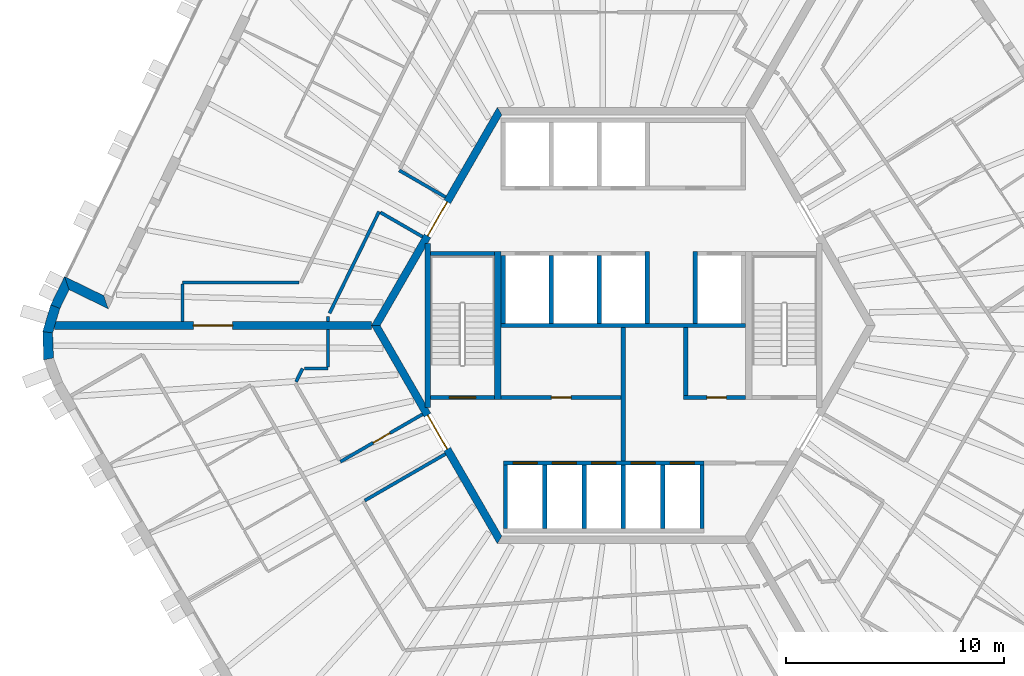
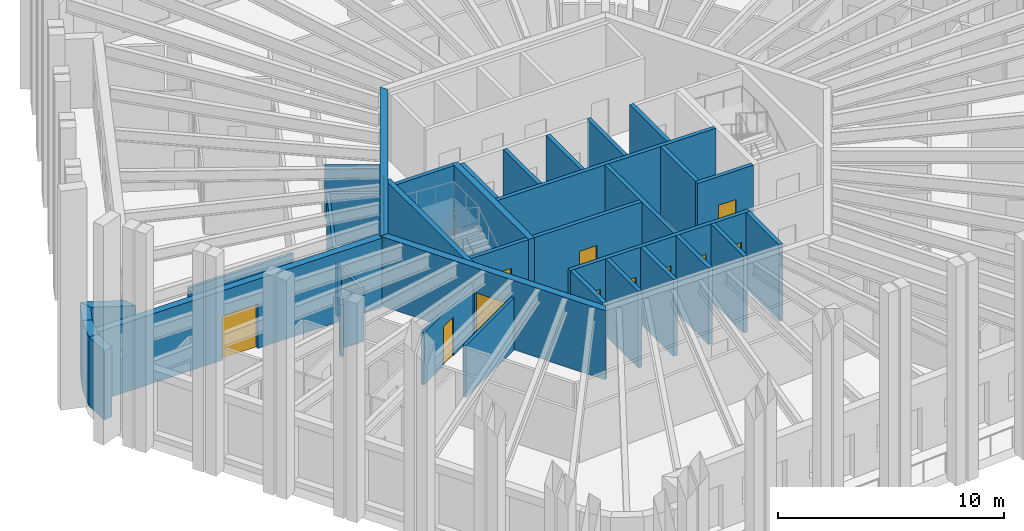
# One storey, part 4 of 12: 39 walls, 12 doors, 12 openings.
"""IFC4 building model written with IfcOpenShell, lengths in metres."""

from ifc_helpers import new_model, si_unit, direction, frame, frame_2d, origin, place, context, subcontext, project, spatial, polyline, rectangle, outline, extrude, material, layer, layer_set, type_object, element, fill, save


model = new_model("IFC4")

# Units and contexts
model_context = context("Model", 3, precision=1e-05, world=origin(), true_north=direction((0.0, 1.0)))
body_context = subcontext(model_context, "Body", "Model", "MODEL_VIEW")
ifc_project = project(units=[si_unit("LENGTHUNIT", "METRE"), si_unit("AREAUNIT", "SQUARE_METRE"), si_unit("VOLUMEUNIT", "CUBIC_METRE"), si_unit("PLANEANGLEUNIT", "RADIAN"), si_unit("MASSUNIT", "GRAM", prefix="KILO")], contexts=[model_context])

# Site, building, storey
site_placement = place(None, origin())
site = spatial("IfcSite", under=ifc_project, at=site_placement, CompositionType="ELEMENT")
building_placement = place(site_placement, origin())
building = spatial("IfcBuilding", under=site, at=building_placement, Name="Tarnside Tower", CompositionType="ELEMENT")
storey_placement = place(building_placement, frame((0.0, 0.0, 349.5)))
storey = spatial("IfcBuildingStorey", under=building, at=storey_placement, Name="L84", CompositionType="ELEMENT", Elevation=349.5)

# Wall, opening, door
ifc_material_1 = material(Name="Concrete C40/50", Category="concrete")
ifc_layer_1 = layer(ifc_material_1, 0.199951171875)
ifc_layer_set_1 = layer_set([ifc_layer_1], Name="Core room partition 200 C40/50")
wall_type_1 = type_object("IfcWallType", Name="Core room partition 200 C40/50", PredefinedType="PARTITIONING", material=ifc_layer_set_1)
wall_1_placement = place(storey_placement, frame((-5.60009765625, -3.300048828125, 0.0), z_axis=(0.0, 0.0, 1.0), x_axis=(1.0, 0.0, 0.0)))
wall_1 = element("IfcWall", 1, at=wall_1_placement, inside=storey, type_object=wall_type_1, Name="L84 core partition W3", PredefinedType="PARTITIONING", context=body_context, shape_type="SweptSolid", body=[
    extrude(rectangle(XDim=5.5, YDim=0.199951171875, at=frame_2d((2.75, 0.0))), origin(), (0.0, 0.0, 1.0), 3.64990234375),
])
opening_1_placement = place(wall_1_placement, frame((2.300048828125, 0.0, 0.0)))
opening_1 = element("IfcOpeningElement", 2, at=opening_1_placement, cuts=wall_1, Name="Opening CD-room", PredefinedType="OPENING", context=body_context, shape_type="SweptSolid", body=[
    extrude(rectangle(XDim=0.89990234375, YDim=2.10009765625, at=frame_2d((0.449951171875, 1.050048828125))), frame((0.0, 0.10986328125, 0.0), z_axis=(0.0, -1.0, 0.0), x_axis=(1.0, 0.0, 0.0)), (0.0, 0.0, 1.0), 0.219970703125),
])
ifc_material_2 = material(Name="Steel fire door", Category="steel")
door_type_1 = type_object("IfcDoorType", Name="Room door FD60 900x2100", OperationType="NOTDEFINED", PredefinedType="DOOR", material=ifc_material_2)
door_1_placement = place(opening_1_placement, origin())
door_1 = element("IfcDoor", 3, at=door_1_placement, inside=storey, type_object=door_type_1, Name="L84 core room door W3D", OperationType="SINGLE_SWING_LEFT", OverallHeight=2.10009765625, OverallWidth=0.89990234375, PredefinedType="DOOR", context=body_context, shape_type="SweptSolid", body=[
    extrude(rectangle(XDim=0.89990234375, YDim=2.10009765625, at=frame_2d((0.449951171875, 1.050048828125))), frame((0.0, 0.02490234375, 0.0), z_axis=(0.0, -1.0, 0.0), x_axis=(1.0, 0.0, 0.0)), (0.0, 0.0, 1.0), 0.050048828125),
])
fill(opening_1, door_1)

wall_2_placement = place(storey_placement, frame((2.75, -3.300048828125, 0.0), z_axis=(0.0, 0.0, 1.0), x_axis=(1.0, 0.0, 0.0)))
wall_2 = element("IfcWall", 4, at=wall_2_placement, inside=storey, type_object=wall_type_1, Name="L84 core partition R3S1", PredefinedType="PARTITIONING", context=body_context, shape_type="SweptSolid", body=[
    extrude(rectangle(XDim=2.85009765625, YDim=0.199951171875, at=frame_2d((1.425048828125, 0.0))), origin(), (0.0, 0.0, 1.0), 3.64990234375),
])
opening_2_placement = place(wall_2_placement, frame((1.074951171875, 0.0, 0.0)))
opening_2 = element("IfcOpeningElement", 5, at=opening_2_placement, cuts=wall_2, Name="Opening CD-room", PredefinedType="OPENING", context=body_context, shape_type="SweptSolid", body=[
    extrude(rectangle(XDim=0.89990234375, YDim=2.10009765625, at=frame_2d((0.449951171875, 1.050048828125))), frame((0.0, 0.10986328125, 0.0), z_axis=(0.0, -1.0, 0.0), x_axis=(1.0, 0.0, 0.0)), (0.0, 0.0, 1.0), 0.219970703125),
])
door_2_placement = place(opening_2_placement, origin())
door_2 = element("IfcDoor", 6, at=door_2_placement, inside=storey, type_object=door_type_1, Name="L84 core room door SR1", OperationType="SINGLE_SWING_LEFT", OverallHeight=2.10009765625, OverallWidth=0.89990234375, PredefinedType="DOOR", context=body_context, shape_type="SweptSolid", body=[
    extrude(rectangle(XDim=0.89990234375, YDim=2.10009765625, at=frame_2d((0.449951171875, 1.050048828125))), frame((0.0, 0.02490234375, 0.0), z_axis=(0.0, -1.0, 0.0), x_axis=(1.0, 0.0, 0.0)), (0.0, 0.0, 1.0), 0.050048828125),
])
fill(opening_2, door_2)

# Walls
wall_3_placement = place(storey_placement, frame((2.85009765625, -3.199951171875, 0.0), z_axis=(0.0, 0.0, 1.0), x_axis=(0.0, 1.0, 0.0)))
element("IfcWall", 7, at=wall_3_placement, inside=storey, type_object=wall_type_1, Name="L84 core partition R3P1a", PredefinedType="PARTITIONING", context=body_context, shape_type="SweptSolid", body=[
    extrude(rectangle(XDim=3.099853515625, YDim=0.199951171875, at=frame_2d((1.5498046875, 0.0))), origin(), (0.0, 0.0, 1.0), 3.64990234375),
])
wall_4_placement = place(storey_placement, frame((0.0, -6.199951171875, 0.0), z_axis=(0.0, 0.0, 1.0), x_axis=(0.0, 1.0, 0.0)))
element("IfcWall", 8, at=wall_4_placement, inside=storey, type_object=wall_type_1, Name="L84 core partition X0", PredefinedType="PARTITIONING", context=body_context, shape_type="SweptSolid", body=[
    extrude(rectangle(XDim=6.099853515625, YDim=0.199951171875, at=frame_2d((3.0498046875, 0.0))), origin(), (0.0, 0.0, 1.0), 3.64990234375),
])

# Wall, opening, door
ifc_material_3 = material(Name="Concrete C50/60", Category="concrete")
ifc_layer_2 = layer(ifc_material_3, 0.35009765625)
ifc_layer_set_2 = layer_set([ifc_layer_2], Name="Core wall Z4 350 C50/60")
wall_type_2 = type_object("IfcWallType", Name="Core wall Z4 350 C50/60", PredefinedType="SHEAR", material=ifc_layer_set_2)
wall_5_placement = place(storey_placement, frame((-5.672607421875, 9.824951171875, 0.0), z_axis=(0.0, 0.0, 1.0), x_axis=(-0.499995046907, -0.866028263435, 0.0)))
wall_5 = element("IfcWall", 9, at=wall_5_placement, inside=storey, type_object=wall_type_2, Name="L84 core wall face 2", PredefinedType="SHEAR", context=body_context, shape_type="SweptSolid", body=[
    extrude(outline(polyline([(-0.10107421875, -0.175048828125), (11.44580078125, -0.175048828125), (11.24365234375, 0.175048828125), (0.10107421875, 0.175048828125), (-0.10107421875, -0.175048828125)])), origin(), (0.0, 0.0, 1.0), 3.75),
])
opening_3_placement = place(wall_5_placement, frame((4.80126953125, 0.0, 0.0)))
opening_3 = element("IfcOpeningElement", 10, at=opening_3_placement, cuts=wall_5, Name="Opening CD-LOB", PredefinedType="OPENING", context=body_context, shape_type="SweptSolid", body=[
    extrude(rectangle(XDim=1.800048828125, YDim=2.39990234375, at=frame_2d((0.89990234375, 1.199951171875))), frame((0.0, 0.18505859375, 0.0), z_axis=(0.0, -1.0, 0.0), x_axis=(1.0, 0.0, 0.0)), (0.0, 0.0, 1.0), 0.3701171875),
])
door_type_2 = type_object("IfcDoorType", Name="Lobby double door FD30S 1800x2400", OperationType="NOTDEFINED", PredefinedType="DOOR", material=ifc_material_2)
door_3_placement = place(opening_3_placement, origin())
door_3 = element("IfcDoor", 11, at=door_3_placement, inside=storey, type_object=door_type_2, Name="L84 core door P1", OperationType="DOUBLE_DOOR_SINGLE_SWING", OverallHeight=2.39990234375, OverallWidth=1.800048828125, PredefinedType="DOOR", context=body_context, shape_type="SweptSolid", body=[
    extrude(rectangle(XDim=1.800048828125, YDim=2.39990234375, at=frame_2d((0.89990234375, 1.199951171875))), frame((0.0, 0.02490234375, 0.0), z_axis=(0.0, -1.0, 0.0), x_axis=(1.0, 0.0, 0.0)), (0.0, 0.0, 1.0), 0.050048828125),
])
fill(opening_3, door_3)

wall_6_placement = place(storey_placement, frame((-11.344970703125, 0.0, 0.0), z_axis=(0.0, 0.0, 1.0), x_axis=(0.499995046907, -0.866028263435, 0.0)))
wall_6 = element("IfcWall", 12, at=wall_6_placement, inside=storey, type_object=wall_type_2, Name="L84 core wall face 3", PredefinedType="SHEAR", context=body_context, shape_type="SweptSolid", body=[
    extrude(outline(polyline([(-0.10107421875, -0.175048828125), (11.44580078125, -0.175048828125), (11.24365234375, 0.175048828125), (0.10107421875, 0.175048828125), (-0.10107421875, -0.175048828125)])), origin(), (0.0, 0.0, 1.0), 3.75),
])
opening_4_placement = place(wall_6_placement, frame((4.74365234375, 0.0, 0.0)))
opening_4 = element("IfcOpeningElement", 13, at=opening_4_placement, cuts=wall_6, Name="Opening CD-FFL", PredefinedType="OPENING", context=body_context, shape_type="SweptSolid", body=[
    extrude(rectangle(XDim=1.800048828125, YDim=2.39990234375, at=frame_2d((0.89990234375, 1.199951171875))), frame((0.0, 0.18505859375, 0.0), z_axis=(0.0, -1.0, 0.0), x_axis=(1.0, 0.0, 0.0)), (0.0, 0.0, 1.0), 0.3701171875),
])
door_type_3 = type_object("IfcDoorType", Name="Firefighting lobby double door FD60S 1800x2400", OperationType="NOTDEFINED", PredefinedType="DOOR", material=ifc_material_2)
door_4_placement = place(opening_4_placement, origin())
door_4 = element("IfcDoor", 14, at=door_4_placement, inside=storey, type_object=door_type_3, Name="L84 core door P3", OperationType="DOUBLE_DOOR_SINGLE_SWING", OverallHeight=2.39990234375, OverallWidth=1.800048828125, PredefinedType="DOOR", context=body_context, shape_type="SweptSolid", body=[
    extrude(rectangle(XDim=1.800048828125, YDim=2.39990234375, at=frame_2d((0.89990234375, 1.199951171875))), frame((0.0, 0.02490234375, 0.0), z_axis=(0.0, -1.0, 0.0), x_axis=(1.0, 0.0, 0.0)), (0.0, 0.0, 1.0), 0.050048828125),
])
fill(opening_4, door_4)

wall_7_placement = place(storey_placement, frame((-11.547119140625, 0.0, 0.0), z_axis=(0.0, 0.0, 1.0), x_axis=(-1.0, 0.0, 0.0)))
wall_7 = element("IfcWall", 15, at=wall_7_placement, inside=storey, type_object=wall_type_2, Name="L84 spine wall 2", PredefinedType="SHEAR", context=body_context, shape_type="SweptSolid", body=[
    extrude(rectangle(XDim=14.510498046875, YDim=0.35009765625, at=frame_2d((7.25537109375, 0.0))), origin(), (0.0, 0.0, 1.0), 3.75),
])
opening_5_placement = place(wall_7_placement, frame((6.355224609375, 0.0, 0.0)))
opening_5 = element("IfcOpeningElement", 16, at=opening_5_placement, cuts=wall_7, Name="Opening CD-SPN", PredefinedType="OPENING", context=body_context, shape_type="SweptSolid", body=[
    extrude(rectangle(XDim=1.800048828125, YDim=2.39990234375, at=frame_2d((0.89990234375, 1.199951171875))), frame((0.0, 0.18505859375, 0.0), z_axis=(0.0, -1.0, 0.0), x_axis=(1.0, 0.0, 0.0)), (0.0, 0.0, 1.0), 0.3701171875),
])
door_type_4 = type_object("IfcDoorType", Name="Spine passage double door FD60 1800x2400", OperationType="NOTDEFINED", PredefinedType="DOOR", material=ifc_material_2)
door_5_placement = place(opening_5_placement, origin())
door_5 = element("IfcDoor", 17, at=door_5_placement, inside=storey, type_object=door_type_4, Name="L84 spine passage door 2", OperationType="DOUBLE_DOOR_SINGLE_SWING", OverallHeight=2.39990234375, OverallWidth=1.800048828125, PredefinedType="DOOR", context=body_context, shape_type="SweptSolid", body=[
    extrude(rectangle(XDim=1.800048828125, YDim=2.39990234375, at=frame_2d((0.89990234375, 1.199951171875))), frame((0.0, 0.02490234375, 0.0), z_axis=(0.0, -1.0, 0.0), x_axis=(1.0, 0.0, 0.0)), (0.0, 0.0, 1.0), 0.050048828125),
])
fill(opening_5, door_5)

# Walls
ifc_material_4 = material(Name="Gypsum board partition on steel studs", Category="steel")
ifc_layer_3 = layer(ifc_material_4, 0.14990234375)
ifc_layer_set_3 = layer_set([ifc_layer_3], Name="Corridor wall 150 EI 60")
wall_type_3 = type_object("IfcWallType", Name="Corridor wall 150 EI 60", PredefinedType="PARTITIONING", material=ifc_layer_set_3)
wall_8_placement = place(storey_placement, frame((-14.863525390625, 1.97509765625, 0.0), z_axis=(0.0, 0.0, 1.0), x_axis=(-1.0, 0.0, 0.0)))
element("IfcWall", 18, at=wall_8_placement, inside=storey, type_object=wall_type_3, Name="Corridor wall 27010", PredefinedType="PARTITIONING", context=body_context, shape_type="SweptSolid", body=[
    extrude(rectangle(XDim=5.3388671875, YDim=0.14990234375, at=frame_2d((2.66943359375, 0.0))), origin(), (0.0, 0.0, 1.0), 2.820068359375),
])
wall_9_placement = place(storey_placement, frame((-20.202392578125, 1.89990234375, 0.0), z_axis=(0.0, 0.0, 1.0), x_axis=(0.0, -1.0, 0.0)))
element("IfcWall", 19, at=wall_9_placement, inside=storey, type_object=wall_type_3, Name="Corridor wall 27011", PredefinedType="PARTITIONING", context=body_context, shape_type="SweptSolid", body=[
    extrude(rectangle(XDim=1.724853515625, YDim=0.14990234375, at=frame_2d((0.8623046875, 0.0))), origin(), (0.0, 0.0, 1.0), 2.820068359375),
])
wall_10_placement = place(storey_placement, frame((-13.54052734375, 0.175048828125, 0.0), z_axis=(0.0, 0.0, 1.0), x_axis=(0.0, 1.0, 0.0)))
element("IfcWall", 20, at=wall_10_placement, inside=storey, type_object=wall_type_3, Name="Corridor wall 27015", PredefinedType="PARTITIONING", context=body_context, shape_type="SweptSolid", body=[
    extrude(rectangle(XDim=0.235107421875, YDim=0.14990234375, at=frame_2d((0.11767578125, 0.0))), origin(), (0.0, 0.0, 1.0), 2.820068359375),
])
wall_11_placement = place(storey_placement, frame((-13.465576171875, 0.563720703125, 0.0), z_axis=(0.0, 0.0, 1.0), x_axis=(0.438366040624, 0.898796536724, 0.0)))
element("IfcWall", 21, at=wall_11_placement, inside=storey, type_object=wall_type_3, Name="Corridor wall 27016", PredefinedType="PARTITIONING", context=body_context, shape_type="SweptSolid", body=[
    extrude(rectangle(XDim=5.178466796875, YDim=0.14990234375, at=frame_2d((2.58935546875, 0.0))), origin(), (0.0, 0.0, 1.0), 2.820068359375),
])
wall_12_placement = place(storey_placement, frame((-11.130615234375, 5.180419921875, 0.0), z_axis=(0.0, 0.0, 1.0), x_axis=(0.866037886895, -0.499978377995, 0.0)))
element("IfcWall", 22, at=wall_12_placement, inside=storey, type_object=wall_type_3, Name="Corridor wall 27017", PredefinedType="PARTITIONING", context=body_context, shape_type="SweptSolid", body=[
    extrude(rectangle(XDim=2.2294921875, YDim=0.14990234375, at=frame_2d((1.11474609375, 0.0))), origin(), (0.0, 0.0, 1.0), 2.820068359375),
])
wall_13_placement = place(storey_placement, frame((-8.149658203125, 5.88427734375, 0.0), z_axis=(0.0, 0.0, 1.0), x_axis=(-0.866009790468, 0.500027042082, 0.0)))
element("IfcWall", 23, at=wall_13_placement, inside=storey, type_object=wall_type_3, Name="Corridor wall 27018", PredefinedType="PARTITIONING", context=body_context, shape_type="SweptSolid", body=[
    extrude(rectangle(XDim=2.451416015625, YDim=0.14990234375, at=frame_2d((1.2255859375, 0.0))), origin(), (0.0, 0.0, 1.0), 2.820068359375),
])

# Wall, opening, door
wall_14_placement = place(storey_placement, frame((-9.19970703125, -4.065673828125, 0.0), z_axis=(0.0, 0.0, 1.0), x_axis=(-0.866013608182, -0.500020430026, 0.0)))
wall_14 = element("IfcWall", 24, at=wall_14_placement, inside=storey, type_object=wall_type_3, Name="Corridor wall 27034", PredefinedType="PARTITIONING", context=body_context, shape_type="SweptSolid", body=[
    extrude(rectangle(XDim=4.349853515625, YDim=0.14990234375, at=frame_2d((2.1748046875, 0.0))), origin(), (0.0, 0.0, 1.0), 2.820068359375),
])
opening_6_placement = place(wall_14_placement, frame((1.72509765625, 0.0, 0.0)))
opening_6 = element("IfcOpeningElement", 25, at=opening_6_placement, cuts=wall_14, Name="Opening D-S1", PredefinedType="OPENING", context=body_context, shape_type="SweptSolid", body=[
    extrude(rectangle(XDim=0.89990234375, YDim=2.10009765625, at=frame_2d((0.449951171875, 1.050048828125))), frame((0.0, 0.0849609375, 0.0), z_axis=(0.0, -1.0, 0.0), x_axis=(1.0, 0.0, 0.0)), (0.0, 0.0, 1.0), 0.169921875),
])
ifc_material_5 = material(Name="Timber door leaf", Category="wood")
door_type_5 = type_object("IfcDoorType", Name="Service room door 900 FD30S", OperationType="NOTDEFINED", PredefinedType="DOOR", material=ifc_material_5)
door_6_placement = place(opening_6_placement, origin())
door_6 = element("IfcDoor", 26, at=door_6_placement, inside=storey, type_object=door_type_5, Name="Service door 27061", OperationType="SINGLE_SWING_LEFT", OverallHeight=2.10009765625, OverallWidth=0.89990234375, PredefinedType="DOOR", context=body_context, shape_type="SweptSolid", body=[
    extrude(rectangle(XDim=0.89990234375, YDim=2.10009765625, at=frame_2d((0.449951171875, 1.050048828125))), frame((0.0, 0.02490234375, 0.0), z_axis=(0.0, -1.0, 0.0), x_axis=(1.0, 0.0, 0.0)), (0.0, 0.0, 1.0), 0.050048828125),
])
fill(opening_6, door_6)

# Walls
wall_15_placement = place(storey_placement, frame((-14.99658203125, -2.5751953125, 0.0), z_axis=(0.0, 0.0, 1.0), x_axis=(0.438416427913, 0.898771959808, 0.0)))
element("IfcWall", 27, at=wall_15_placement, inside=storey, type_object=wall_type_3, Name="Corridor wall 27036", PredefinedType="PARTITIONING", context=body_context, shape_type="SweptSolid", body=[
    extrude(rectangle(XDim=0.667724609375, YDim=0.14990234375, at=frame_2d((0.333984375, 0.0))), origin(), (0.0, 0.0, 1.0), 2.820068359375),
])
wall_16_placement = place(storey_placement, frame((-14.620361328125, -1.97509765625, 0.0), z_axis=(0.0, 0.0, 1.0), x_axis=(1.0, 0.0, 0.0)))
element("IfcWall", 28, at=wall_16_placement, inside=storey, type_object=wall_type_3, Name="Corridor wall 27037", PredefinedType="PARTITIONING", context=body_context, shape_type="SweptSolid", body=[
    extrude(rectangle(XDim=1.079833984375, YDim=0.14990234375, at=frame_2d((0.5400390625, 0.0))), origin(), (0.0, 0.0, 1.0), 2.820068359375),
])
wall_17_placement = place(storey_placement, frame((-13.54052734375, -1.89990234375, 0.0), z_axis=(0.0, 0.0, 1.0), x_axis=(0.0, 1.0, 0.0)))
element("IfcWall", 29, at=wall_17_placement, inside=storey, type_object=wall_type_3, Name="Corridor wall 27038", PredefinedType="PARTITIONING", context=body_context, shape_type="SweptSolid", body=[
    extrude(rectangle(XDim=1.724853515625, YDim=0.14990234375, at=frame_2d((0.8623046875, 0.0))), origin(), (0.0, 0.0, 1.0), 2.820068359375),
])
wall_18_placement = place(storey_placement, frame((-11.85205078125, -8.021728515625, 0.0), z_axis=(0.0, 0.0, 1.0), x_axis=(0.866038183914, 0.499977863513, 0.0)))
element("IfcWall", 30, at=wall_18_placement, inside=storey, type_object=wall_type_3, Name="Corridor wall 27042", PredefinedType="PARTITIONING", context=body_context, shape_type="SweptSolid", body=[
    extrude(rectangle(XDim=4.275146484375, YDim=0.14990234375, at=frame_2d((2.1376953125, 0.0))), origin(), (0.0, 0.0, 1.0), 2.820068359375),
])
ifc_layer_4 = layer(ifc_material_1, 0.199951171875)
ifc_layer_set_4 = layer_set([ifc_layer_4], Name="Lift shaft wall 200 C40/50")
wall_type_4 = type_object("IfcWallType", Name="Lift shaft wall 200 C40/50", PredefinedType="SHEAR", material=ifc_layer_set_4)
wall_19_placement = place(storey_placement, frame((-5.60009765625, 0.0, -0.5), z_axis=(0.0, 0.0, 1.0), x_axis=(1.0, 0.0, 0.0)))
element("IfcWall", 31, at=wall_19_placement, inside=storey, type_object=wall_type_4, Name="L84 lift shaft back wall R2", PredefinedType="SHEAR", context=body_context, shape_type="SweptSolid", body=[
    extrude(rectangle(XDim=11.2001953125, YDim=0.199951171875, at=frame_2d((5.60009765625, 0.0))), origin(), (0.0, 0.0, 1.0), 4.14990234375),
])
for number, where, z_axis, x_axis, name in (
    (32, (-5.5, 0.10009765625, -0.5), (0.0, 0.0, 1.0), (0.0, 1.0, 0.0), "L84 lift shaft partition R21"),
    (33, (-3.300048828125, 0.10009765625, -0.5), (0.0, 0.0, 1.0), (0.0, 1.0, 0.0), "L84 lift shaft partition R22"),
    (34, (-1.10009765625, 0.10009765625, -0.5), (0.0, 0.0, 1.0), (0.0, 1.0, 0.0), "L84 lift shaft partition R23"),
):
    element("IfcWall", number, at=place(storey_placement, frame(where, z_axis=z_axis, x_axis=x_axis)), inside=storey, type_object=wall_type_4, Name=name, PredefinedType="SHEAR", context=body_context, shape_type="SweptSolid", body=[
        extrude(rectangle(XDim=3.099853515625, YDim=0.199951171875, at=frame_2d((1.5498046875, 0.0))), origin(), (0.0, 0.0, 1.0), 4.14990234375),
    ])
for number, where, z_axis, x_axis, name in (
    (35, (1.10009765625, 0.10009765625, -0.5), (0.0, 0.0, 1.0), (0.0, 1.0, 0.0), "L84 lift shaft partition R24"),
    (36, (3.300048828125, 0.10009765625, -0.5), (0.0, 0.0, 1.0), (0.0, 1.0, 0.0), "L84 lift shaft partition R25"),
):
    element("IfcWall", number, at=place(storey_placement, frame(where, z_axis=z_axis, x_axis=x_axis)), inside=storey, type_object=wall_type_4, Name=name, PredefinedType="SHEAR", context=body_context, shape_type="SweptSolid", body=[
        extrude(rectangle(XDim=3.2998046875, YDim=0.199951171875, at=frame_2d((1.64990234375, 0.0))), origin(), (0.0, 0.0, 1.0), 4.14990234375),
    ])

# Wall, openings, doors
wall_20_placement = place(storey_placement, frame((-5.5, -6.300048828125, -0.5), z_axis=(0.0, 0.0, 1.0), x_axis=(1.0, 0.0, 0.0)))
wall_20 = element("IfcWall", 37, at=wall_20_placement, inside=storey, type_object=wall_type_4, Name="L84 lift shaft front wall R4", PredefinedType="SHEAR", context=body_context, shape_type="SweptSolid", body=[
    extrude(rectangle(XDim=9.199951171875, YDim=0.199951171875, at=frame_2d((4.60009765625, 0.0))), origin(), (0.0, 0.0, 1.0), 4.14990234375),
])
opening_7_placement = place(wall_20_placement, frame((0.449951171875, 0.0, 0.5)))
opening_7 = element("IfcOpeningElement", 38, at=opening_7_placement, cuts=wall_20, Name="Opening LDF", PredefinedType="OPENING", context=body_context, shape_type="SweptSolid", body=[
    extrude(rectangle(XDim=1.10009765625, YDim=2.10009765625, at=frame_2d((0.550048828125, 1.050048828125))), frame((0.0, 0.10986328125, 0.0), z_axis=(0.0, -1.0, 0.0), x_axis=(1.0, 0.0, 0.0)), (0.0, 0.0, 1.0), 0.219970703125),
])
opening_8_placement = place(wall_20_placement, frame((2.25, 0.0, 0.5)))
opening_8 = element("IfcOpeningElement", 39, at=opening_8_placement, cuts=wall_20, Name="Opening LDF", PredefinedType="OPENING", context=body_context, shape_type="SweptSolid", body=[
    extrude(rectangle(XDim=1.10009765625, YDim=2.10009765625, at=frame_2d((0.550048828125, 1.050048828125))), frame((0.0, 0.10986328125, 0.0), z_axis=(0.0, -1.0, 0.0), x_axis=(1.0, 0.0, 0.0)), (0.0, 0.0, 1.0), 0.219970703125),
])
opening_9_placement = place(wall_20_placement, frame((4.050048828125, 0.0, 0.5)))
opening_9 = element("IfcOpeningElement", 40, at=opening_9_placement, cuts=wall_20, Name="Opening LDF", PredefinedType="OPENING", context=body_context, shape_type="SweptSolid", body=[
    extrude(rectangle(XDim=1.10009765625, YDim=2.10009765625, at=frame_2d((0.550048828125, 1.050048828125))), frame((0.0, 0.10986328125, 0.0), z_axis=(0.0, -1.0, 0.0), x_axis=(1.0, 0.0, 0.0)), (0.0, 0.0, 1.0), 0.219970703125),
])
opening_10_placement = place(wall_20_placement, frame((5.85009765625, 0.0, 0.5)))
opening_10 = element("IfcOpeningElement", 41, at=opening_10_placement, cuts=wall_20, Name="Opening LDF", PredefinedType="OPENING", context=body_context, shape_type="SweptSolid", body=[
    extrude(rectangle(XDim=1.10009765625, YDim=2.10009765625, at=frame_2d((0.550048828125, 1.050048828125))), frame((0.0, 0.10986328125, 0.0), z_axis=(0.0, -1.0, 0.0), x_axis=(1.0, 0.0, 0.0)), (0.0, 0.0, 1.0), 0.219970703125),
])
opening_11_placement = place(wall_20_placement, frame((7.64990234375, 0.0, 0.5)))
opening_11 = element("IfcOpeningElement", 42, at=opening_11_placement, cuts=wall_20, Name="Opening LDF", PredefinedType="OPENING", context=body_context, shape_type="SweptSolid", body=[
    extrude(rectangle(XDim=1.10009765625, YDim=2.10009765625, at=frame_2d((0.550048828125, 1.050048828125))), frame((0.0, 0.10986328125, 0.0), z_axis=(0.0, -1.0, 0.0), x_axis=(1.0, 0.0, 0.0)), (0.0, 0.0, 1.0), 0.219970703125),
])
ifc_material_6 = material(Name="Stainless steel", Category="steel")
door_type_6 = type_object("IfcDoorType", Name="Lift landing door 1100x2100 EI 120", OperationType="NOTDEFINED", PredefinedType="DOOR", material=ifc_material_6)
door_7_placement = place(opening_7_placement, origin())
door_7 = element("IfcDoor", 43, at=door_7_placement, inside=storey, type_object=door_type_6, Name="Firefighting lift 1 landing door L84", OperationType="SLIDING_TO_LEFT", OverallHeight=2.10009765625, OverallWidth=1.10009765625, PredefinedType="DOOR", context=body_context, shape_type="SweptSolid", body=[
    extrude(rectangle(XDim=1.10009765625, YDim=2.10009765625, at=frame_2d((0.550048828125, 1.050048828125))), frame((0.0, 0.02490234375, 0.0), z_axis=(0.0, -1.0, 0.0), x_axis=(1.0, 0.0, 0.0)), (0.0, 0.0, 1.0), 0.050048828125),
])
fill(opening_7, door_7)
door_8_placement = place(opening_8_placement, origin())
door_8 = element("IfcDoor", 44, at=door_8_placement, inside=storey, type_object=door_type_6, Name="Firefighting lift 2 landing door L84", OperationType="SLIDING_TO_LEFT", OverallHeight=2.10009765625, OverallWidth=1.10009765625, PredefinedType="DOOR", context=body_context, shape_type="SweptSolid", body=[
    extrude(rectangle(XDim=1.10009765625, YDim=2.10009765625, at=frame_2d((0.550048828125, 1.050048828125))), frame((0.0, 0.02490234375, 0.0), z_axis=(0.0, -1.0, 0.0), x_axis=(1.0, 0.0, 0.0)), (0.0, 0.0, 1.0), 0.050048828125),
])
fill(opening_8, door_8)
door_9_placement = place(opening_9_placement, origin())
door_9 = element("IfcDoor", 45, at=door_9_placement, inside=storey, type_object=door_type_6, Name="Firefighting lift 3 landing door L84", OperationType="SLIDING_TO_LEFT", OverallHeight=2.10009765625, OverallWidth=1.10009765625, PredefinedType="DOOR", context=body_context, shape_type="SweptSolid", body=[
    extrude(rectangle(XDim=1.10009765625, YDim=2.10009765625, at=frame_2d((0.550048828125, 1.050048828125))), frame((0.0, 0.02490234375, 0.0), z_axis=(0.0, -1.0, 0.0), x_axis=(1.0, 0.0, 0.0)), (0.0, 0.0, 1.0), 0.050048828125),
])
fill(opening_9, door_9)
door_10_placement = place(opening_10_placement, origin())
door_10 = element("IfcDoor", 46, at=door_10_placement, inside=storey, type_object=door_type_6, Name="Firefighting lift 4 landing door L84", OperationType="SLIDING_TO_LEFT", OverallHeight=2.10009765625, OverallWidth=1.10009765625, PredefinedType="DOOR", context=body_context, shape_type="SweptSolid", body=[
    extrude(rectangle(XDim=1.10009765625, YDim=2.10009765625, at=frame_2d((0.550048828125, 1.050048828125))), frame((0.0, 0.02490234375, 0.0), z_axis=(0.0, -1.0, 0.0), x_axis=(1.0, 0.0, 0.0)), (0.0, 0.0, 1.0), 0.050048828125),
])
fill(opening_10, door_10)
door_11_placement = place(opening_11_placement, origin())
door_11 = element("IfcDoor", 47, at=door_11_placement, inside=storey, type_object=door_type_6, Name="Firefighting lift 5 landing door L84", OperationType="SLIDING_TO_LEFT", OverallHeight=2.10009765625, OverallWidth=1.10009765625, PredefinedType="DOOR", context=body_context, shape_type="SweptSolid", body=[
    extrude(rectangle(XDim=1.10009765625, YDim=2.10009765625, at=frame_2d((0.550048828125, 1.050048828125))), frame((0.0, 0.02490234375, 0.0), z_axis=(0.0, -1.0, 0.0), x_axis=(1.0, 0.0, 0.0)), (0.0, 0.0, 1.0), 0.050048828125),
])
fill(opening_11, door_11)

# Walls
for number, where, z_axis, x_axis, name in (
    (48, (-5.39990234375, -9.300048828125, -0.5), (0.0, 0.0, 1.0), (0.0, 1.0, 0.0), "L84 lift shaft partition R41"),
    (49, (-3.60009765625, -9.300048828125, -0.5), (0.0, 0.0, 1.0), (0.0, 1.0, 0.0), "L84 lift shaft partition R42"),
    (50, (-1.800048828125, -9.300048828125, -0.5), (0.0, 0.0, 1.0), (0.0, 1.0, 0.0), "L84 lift shaft partition R43"),
    (51, (0.0, -9.300048828125, -0.5), (0.0, 0.0, 1.0), (0.0, 1.0, 0.0), "L84 lift shaft partition R44"),
    (52, (1.800048828125, -9.300048828125, -0.5), (0.0, 0.0, 1.0), (0.0, 1.0, 0.0), "L84 lift shaft partition R45"),
    (53, (3.60009765625, -9.300048828125, -0.5), (0.0, 0.0, 1.0), (0.0, 1.0, 0.0), "L84 lift shaft partition R46"),
):
    element("IfcWall", number, at=place(storey_placement, frame(where, z_axis=z_axis, x_axis=x_axis)), inside=storey, type_object=wall_type_4, Name=name, PredefinedType="SHEAR", context=body_context, shape_type="SweptSolid", body=[
        extrude(rectangle(XDim=2.900146484375, YDim=0.199951171875, at=frame_2d((1.4501953125, 0.0))), origin(), (0.0, 0.0, 1.0), 4.14990234375),
    ])
wall_21_placement = place(storey_placement, frame((-8.85009765625, 3.300048828125, -0.5), z_axis=(0.0, 0.0, 1.0), x_axis=(1.0, 0.0, 0.0)))
element("IfcWall", 54, at=wall_21_placement, inside=storey, type_object=wall_type_4, Name="L84 stair 2 enclosure cap wall n", PredefinedType="SHEAR", context=body_context, shape_type="SweptSolid", body=[
    extrude(rectangle(XDim=2.9501953125, YDim=0.199951171875, at=frame_2d((1.47509765625, 0.0))), origin(), (0.0, 0.0, 1.0), 4.14990234375),
])

# Wall, opening, door
wall_22_placement = place(storey_placement, frame((-8.85009765625, -3.300048828125, -0.5), z_axis=(0.0, 0.0, 1.0), x_axis=(1.0, 0.0, 0.0)))
wall_22 = element("IfcWall", 55, at=wall_22_placement, inside=storey, type_object=wall_type_4, Name="L84 stair 2 enclosure cap wall s", PredefinedType="SHEAR", context=body_context, shape_type="SweptSolid", body=[
    extrude(rectangle(XDim=2.9501953125, YDim=0.199951171875, at=frame_2d((1.47509765625, 0.0))), origin(), (0.0, 0.0, 1.0), 4.14990234375),
])
opening_12_placement = place(wall_22_placement, frame((0.875, 0.0, 0.5)))
opening_12 = element("IfcOpeningElement", 56, at=opening_12_placement, cuts=wall_22, Name="Opening CD-STR", PredefinedType="OPENING", context=body_context, shape_type="SweptSolid", body=[
    extrude(rectangle(XDim=1.199951171875, YDim=2.39990234375, at=frame_2d((0.60009765625, 1.199951171875))), frame((0.0, 0.10986328125, 0.0), z_axis=(0.0, -1.0, 0.0), x_axis=(1.0, 0.0, 0.0)), (0.0, 0.0, 1.0), 0.219970703125),
])
door_type_7 = type_object("IfcDoorType", Name="Stair door FD60S 1200x2400", OperationType="NOTDEFINED", PredefinedType="DOOR", material=ifc_material_2)
door_12_placement = place(opening_12_placement, origin())
door_12 = element("IfcDoor", 57, at=door_12_placement, inside=storey, type_object=door_type_7, Name="L84 stair 2 door", OperationType="SINGLE_SWING_LEFT", OverallHeight=2.39990234375, OverallWidth=1.199951171875, PredefinedType="DOOR", context=body_context, shape_type="SweptSolid", body=[
    extrude(rectangle(XDim=1.199951171875, YDim=2.39990234375, at=frame_2d((0.60009765625, 1.199951171875))), frame((0.0, 0.02490234375, 0.0), z_axis=(0.0, -1.0, 0.0), x_axis=(1.0, 0.0, 0.0)), (0.0, 0.0, 1.0), 0.050048828125),
])
fill(opening_12, door_12)

# Walls
ifc_material_7 = material(Name="Dark zinc cladding")
ifc_layer_5 = layer(ifc_material_7, 0.10205078125)
ifc_material_8 = material(Name="Concrete C60/75 precast", Category="concrete")
ifc_layer_6 = layer(ifc_material_8, 0.248046875)
ifc_material_9 = material(Name="Mineral wool insulation")
ifc_layer_7 = layer(ifc_material_9, 0.10009765625)
ifc_layer_set_5 = layer_set([ifc_layer_5, ifc_layer_6, ifc_layer_7], Name="Loggia wall 450 zinc faced")
wall_type_5 = type_object("IfcWallType", Name="Loggia wall 450 zinc faced", PredefinedType="SOLIDWALL", material=ifc_layer_set_5)
wall_23_placement = place(storey_placement, frame((-23.70703125, 1.066162109375, 0.0), z_axis=(0.0, 0.0, 1.0), x_axis=(-0.898779005228, 0.438401984213, 0.0)))
element("IfcWall", 58, at=wall_23_placement, inside=storey, type_object=wall_type_5, Name="Tube wall L84 F2 return 07", PredefinedType="SOLIDWALL", context=body_context, shape_type="SweptSolid", body=[
    extrude(outline(polyline([(0.224853515625, -0.22509765625), (2.224609375, -0.22509765625), (1.77490234375, 0.22509765625), (-0.224853515625, 0.22509765625), (0.224853515625, -0.22509765625)])), origin(), (0.0, 0.0, 1.0), 3.75),
])
wall_24_placement = place(storey_placement, frame((-25.50439453125, 1.94287109375, 0.0), z_axis=(0.0, 0.0, 1.0), x_axis=(-0.43840359141, -0.898778221275, 0.0)))
element("IfcWall", 59, at=wall_24_placement, inside=storey, type_object=wall_type_5, Name="Tube wall L84 F2 stub 08", PredefinedType="SOLIDWALL", context=body_context, shape_type="SweptSolid", body=[
    extrude(outline(polyline([(-0.224853515625, -0.22509765625), (1.218505859375, -0.22509765625), (1.181884765625, 0.22509765625), (0.224853515625, 0.22509765625), (-0.224853515625, -0.22509765625)])), origin(), (0.0, 0.0, 1.0), 3.75),
])
ifc_layer_8 = layer(ifc_material_1, 0.25)
ifc_layer_set_6 = layer_set([ifc_layer_8], Name="Stair enclosure wall 250 C40/50")
wall_type_6 = type_object("IfcWallType", Name="Stair enclosure wall 250 C40/50", PredefinedType="SHEAR", material=ifc_layer_set_6)
wall_25_placement = place(storey_placement, frame((-8.97509765625, -3.7548828125, -0.5), z_axis=(0.0, 0.0, 1.0), x_axis=(0.0, 1.0, 0.0)))
element("IfcWall", 60, at=wall_25_placement, inside=storey, type_object=wall_type_6, Name="L84 stair 2 enclosure wall outer", PredefinedType="SHEAR", context=body_context, shape_type="SweptSolid", body=[
    extrude(rectangle(XDim=7.509765625, YDim=0.25, at=frame_2d((3.7548828125, 0.0))), origin(), (0.0, 0.0, 1.0), 4.14990234375),
])
ifc_layer_9 = layer(ifc_material_1, 0.300048828125)
ifc_layer_set_7 = layer_set([ifc_layer_9], Name="Stair enclosure wall 300 C40/50")
wall_type_7 = type_object("IfcWallType", Name="Stair enclosure wall 300 C40/50", PredefinedType="SHEAR", material=ifc_layer_set_7)
wall_26_placement = place(storey_placement, frame((-5.75, -3.39990234375, -0.5), z_axis=(0.0, 0.0, 1.0), x_axis=(0.0, 1.0, 0.0)))
element("IfcWall", 61, at=wall_26_placement, inside=storey, type_object=wall_type_7, Name="L84 stair 2 enclosure wall inner", PredefinedType="SHEAR", context=body_context, shape_type="SweptSolid", body=[
    extrude(rectangle(XDim=6.7998046875, YDim=0.300048828125, at=frame_2d((3.39990234375, 0.0))), origin(), (0.0, 0.0, 1.0), 4.14990234375),
])
ifc_material_10 = material(Name="Facing brick", Category="masonry")
ifc_layer_10 = layer(ifc_material_10, 0.10205078125)
ifc_layer_11 = layer(ifc_material_8, 0.248046875)
ifc_layer_12 = layer(ifc_material_9, 0.10009765625)
ifc_layer_set_8 = layer_set([ifc_layer_10, ifc_layer_11, ifc_layer_12], Name="Tube wall 450 brick faced")
wall_type_8 = type_object("IfcWallType", Name="Tube wall 450 brick faced", PredefinedType="SOLIDWALL", material=ifc_layer_set_8)
wall_27_placement = place(storey_placement, frame((-26.030517578125, 0.8642578125, 0.0), z_axis=(0.0, 0.0, 1.0), x_axis=(-0.286945389156, -0.957946941977, 0.0)))
element("IfcWall", 62, at=wall_27_placement, inside=storey, type_object=wall_type_8, Name="Tube wall L84 F2 chord 09", PredefinedType="SOLIDWALL", context=body_context, shape_type="SweptSolid", body=[
    extrude(outline(polyline([(-0.018310546875, -0.22509765625), (1.26123046875, -0.22509765625), (1.1875, 0.22509765625), (0.018310546875, 0.22509765625), (-0.018310546875, -0.22509765625)])), origin(), (0.0, 0.0, 1.0), 3.75),
])
wall_28_placement = place(storey_placement, frame((-26.3818359375, -0.30859375, 0.0), z_axis=(0.0, 0.0, 1.0), x_axis=(0.034887984255, -0.999391228976, 0.0)))
element("IfcWall", 63, at=wall_28_placement, inside=storey, type_object=wall_type_8, Name="Tube wall L84 F2 chord 10", PredefinedType="SOLIDWALL", context=body_context, shape_type="SweptSolid", body=[
    extrude(outline(polyline([(-0.036865234375, -0.22509765625), (1.261474609375, -0.22509765625), (1.187744140625, 0.22509765625), (0.036865234375, 0.22509765625), (-0.036865234375, -0.22509765625)])), origin(), (0.0, 0.0, 1.0), 3.75),
])

save(model, "model.ifc")
